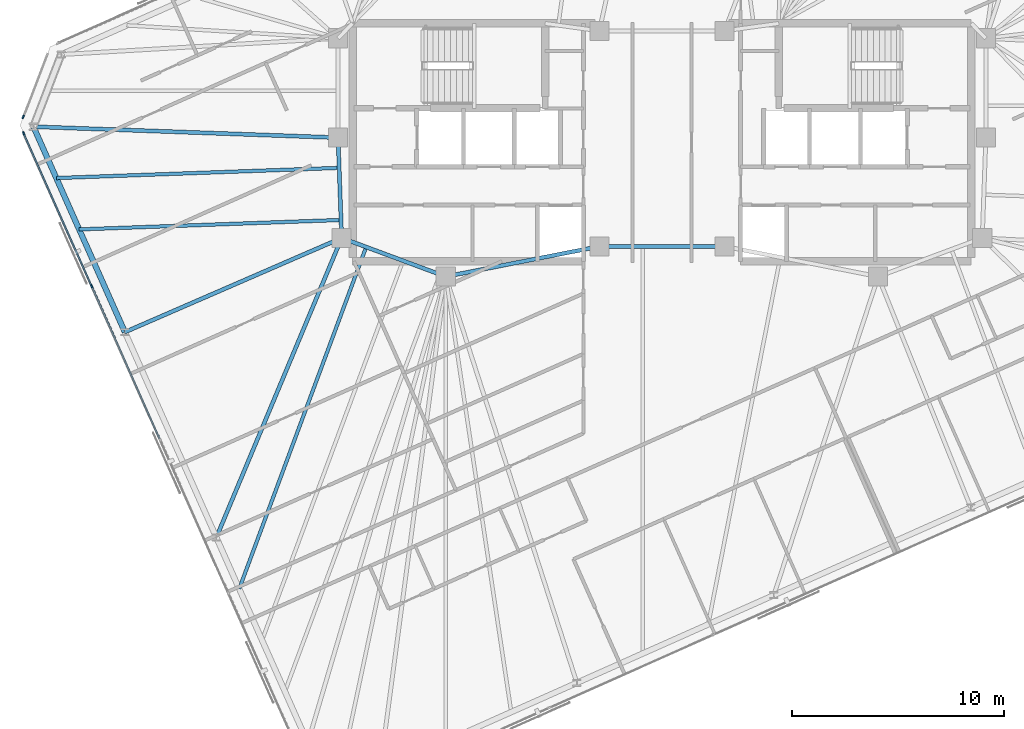
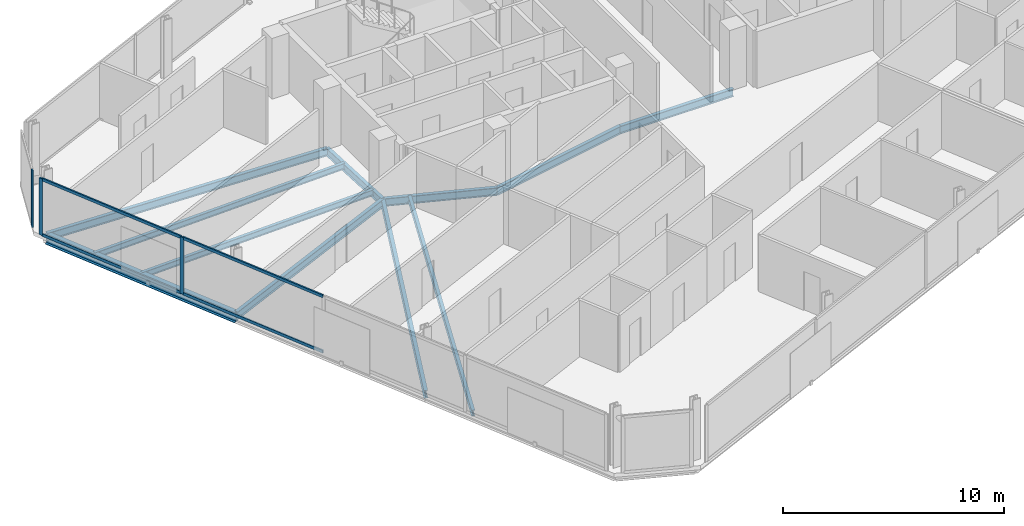
# One storey, part 6 of 19: 11 beams, 7 members, 2 elements without a shape of their own.
"""IFC4 building model written with IfcOpenShell, lengths in metres."""

from ifc_helpers import new_model, si_unit, direction, frame, origin, origin_2d, place, context, subcontext, project, spatial, rectangle, i_section, extrude, material, material_profile, profile_set, type_object, element, aggregate, save


model = new_model("IFC4")

# Units and contexts
model_context = context("Model", 3, precision=1e-05, world=origin(), true_north=direction((0.0, 1.0)))
body_context = subcontext(model_context, "Body", "Model", "MODEL_VIEW")
ifc_project = project(units=[si_unit("LENGTHUNIT", "METRE"), si_unit("AREAUNIT", "SQUARE_METRE"), si_unit("VOLUMEUNIT", "CUBIC_METRE"), si_unit("PLANEANGLEUNIT", "RADIAN"), si_unit("MASSUNIT", "GRAM", prefix="KILO")], contexts=[model_context])

# Site, building, storey
site_placement = place(None, origin())
site = spatial("IfcSite", under=ifc_project, at=site_placement, CompositionType="ELEMENT")
building_placement = place(site_placement, origin())
building = spatial("IfcBuilding", under=site, at=building_placement, Name="Menara Jurai Vektor", CompositionType="ELEMENT")
storey_placement = place(building_placement, frame((0.0, 0.0, 281.89990234375)))
storey = spatial("IfcBuildingStorey", under=building, at=storey_placement, Name="L75", CompositionType="ELEMENT", Elevation=281.89990234375)

# Curtain wall, member
ifc_material_1 = material(Name="Anodised Pale Aluminium & Low-E Double Glazing", Category="aluminium")
curtain_wall_type = type_object("IfcCurtainWallType", Name="CW-BLK5", PredefinedType="NOTDEFINED", material=ifc_material_1)
curtain_wall_1_placement = place(storey_placement, origin())
curtain_wall_1 = element("IfcCurtainWall", 1, at=curtain_wall_1_placement, inside=storey, type_object=curtain_wall_type, Name="Unitised Curtain Wall L75 F06", PredefinedType="NOTDEFINED")
ifc_material_2 = material(Name="Anodised Pale Aluminium Mullion", Category="aluminium")
ifc_material_profile_1 = material_profile(ifc_material_2, rectangle(XDim=0.074951171875, YDim=0.175048828125, at=origin_2d()), Name="ALU MUL 75x175")
ifc_profile_set_1 = profile_set([ifc_material_profile_1], Name="Anodised Pale Aluminium Mullion")
member_type_1 = type_object("IfcMemberType", Name="CW-BLK5-MUL", PredefinedType="MULLION", material=ifc_profile_set_1)
member_1_placement = place(storey_placement, frame((-30.075439453125, 1.197265625, 0.0), z_axis=(0.0, 0.0, 1.0), x_axis=(0.933578193639, -0.358373766287, 0.0)))
member_1 = element("IfcMember", 2, at=member_1_placement, type_object=member_type_1, Name="CW-05 mullion 2", PredefinedType="MULLION", context=body_context, shape_type="SweptSolid", body=[
    extrude(rectangle(XDim=0.074951171875, YDim=0.175048828125, at=origin_2d()), origin(), (0.0, 0.0, 1.0), 3.125),
])
aggregate(curtain_wall_1, [member_1])

# Curtain wall, members
curtain_wall_2_placement = place(storey_placement, origin())
curtain_wall_2 = element("IfcCurtainWall", 3, at=curtain_wall_2_placement, inside=storey, type_object=curtain_wall_type, Name="Unitised Curtain Wall L75 F07", PredefinedType="NOTDEFINED")
member_2_placement = place(storey_placement, frame((-30.055419921875, 0.426025390625, 0.0), z_axis=(0.0, 0.0, 1.0), x_axis=(0.913546127706, 0.406735138086, 0.0)))
member_2 = element("IfcMember", 4, at=member_2_placement, type_object=member_type_1, Name="CW-05 mullion 1", PredefinedType="MULLION", context=body_context, shape_type="SweptSolid", body=[
    extrude(rectangle(XDim=0.074951171875, YDim=0.175048828125, at=origin_2d()), origin(), (0.0, 0.0, 1.0), 3.125),
])
member_3_placement = place(storey_placement, frame((-26.853271484375, -6.765869140625, 0.0), z_axis=(0.0, 0.0, 1.0), x_axis=(0.913546127706, 0.406735138086, 0.0)))
member_3 = element("IfcMember", 5, at=member_3_placement, type_object=member_type_1, Name="CW-05 mullion 2", PredefinedType="MULLION", context=body_context, shape_type="SweptSolid", body=[
    extrude(rectangle(XDim=0.074951171875, YDim=0.175048828125, at=origin_2d()), origin(), (0.0, 0.0, 1.0), 3.125),
])
ifc_material_3 = material(Name="Anodised Pale Aluminium Transom", Category="aluminium")
ifc_material_profile_2 = material_profile(ifc_material_3, rectangle(XDim=0.074951171875, YDim=0.155029296875, at=origin_2d()), Name="ALU TRN 75x155")
ifc_profile_set_2 = profile_set([ifc_material_profile_2], Name="Anodised Pale Aluminium Transom")
member_type_2 = type_object("IfcMemberType", Name="CW-BLK5-TRN", PredefinedType="USERDEFINED", material=ifc_profile_set_2)
member_4_placement = place(storey_placement, frame((-30.0400390625, 0.391845703125, 0.03759765625), z_axis=(0.406713581109, -0.913555725143, 0.0), x_axis=(0.913555725143, 0.406713581109, 0.0)))
member_4 = element("IfcMember", 6, at=member_4_placement, type_object=member_type_2, Name="CW-05 transom 1.1", ObjectType="TRANSOM", PredefinedType="USERDEFINED", context=body_context, shape_type="SweptSolid", body=[
    extrude(rectangle(XDim=0.074951171875, YDim=0.155029296875, at=origin_2d()), origin(), (0.0, 0.0, 1.0), 7.797607421875),
])
member_5_placement = place(storey_placement, frame((-30.0400390625, 0.391845703125, 3.087646484375), z_axis=(0.406713581109, -0.913555725143, 0.0), x_axis=(0.913555725143, 0.406713581109, 0.0)))
member_5 = element("IfcMember", 7, at=member_5_placement, type_object=member_type_2, Name="CW-05 transom 1.2", ObjectType="TRANSOM", PredefinedType="USERDEFINED", context=body_context, shape_type="SweptSolid", body=[
    extrude(rectangle(XDim=0.074951171875, YDim=0.155029296875, at=origin_2d()), origin(), (0.0, 0.0, 1.0), 7.797607421875),
])
member_6_placement = place(storey_placement, frame((-26.838134765625, -6.800048828125, 0.03759765625), z_axis=(0.406731062496, -0.913547942256, 0.0), x_axis=(0.913547942256, 0.406731062496, 0.0)))
member_6 = element("IfcMember", 8, at=member_6_placement, type_object=member_type_2, Name="CW-05 transom 2.1", ObjectType="TRANSOM", PredefinedType="USERDEFINED", context=body_context, shape_type="SweptSolid", body=[
    extrude(rectangle(XDim=0.074951171875, YDim=0.155029296875, at=origin_2d()), origin(), (0.0, 0.0, 1.0), 7.8349609375),
])
member_7_placement = place(storey_placement, frame((-26.838134765625, -6.800048828125, 3.087646484375), z_axis=(0.406731062496, -0.913547942256, 0.0), x_axis=(0.913547942256, 0.406731062496, 0.0)))
member_7 = element("IfcMember", 9, at=member_7_placement, type_object=member_type_2, Name="CW-05 transom 2.2", ObjectType="TRANSOM", PredefinedType="USERDEFINED", context=body_context, shape_type="SweptSolid", body=[
    extrude(rectangle(XDim=0.074951171875, YDim=0.155029296875, at=origin_2d()), origin(), (0.0, 0.0, 1.0), 7.8349609375),
])
aggregate(curtain_wall_2, [member_2, member_3, member_4, member_5, member_6, member_7])

# Beams
ifc_material_4 = material(Name="Steel S355", Category="steel")
ifc_material_profile_3 = material_profile(ifc_material_4, i_section(OverallWidth=0.18505859375, OverallDepth=0.429931640625, WebThickness=0.010986328125, FlangeThickness=0.01806640625, at=origin_2d()), Name="PG 430x185x76")
ifc_profile_set_3 = profile_set([ifc_material_profile_3], Name="Steel S355")
beam_type_1 = type_object("IfcBeamType", Name="STR-BM-430", PredefinedType="BEAM", material=ifc_profile_set_3)
beam_1_placement = place(storey_placement, frame((-15.080078125, -4.5, -0.43994140625), z_axis=(-0.035977314146, 0.999352606874, 0.0), x_axis=(-0.999352606874, -0.035977314146, 0.0)))
element("IfcBeam", 10, at=beam_1_placement, inside=storey, type_object=beam_type_1, Name="Core Ring Header Girder L75-CHW-W2", PredefinedType="BEAM", context=body_context, shape_type="SweptSolid", body=[
    extrude(i_section(OverallWidth=0.18505859375, OverallDepth=0.429931640625, WebThickness=0.010986328125, FlangeThickness=0.01806640625, at=origin_2d()), origin(), (0.0, 0.0, 1.0), 4.72314453125),
])
beam_2_placement = place(storey_placement, frame((-15.080078125, -4.5, -0.43994140625), z_axis=(0.937424400887, -0.348188874925, 0.0), x_axis=(0.348188874925, 0.937424400887, 0.0)))
element("IfcBeam", 11, at=beam_2_placement, inside=storey, type_object=beam_type_1, Name="Core Ring Header Girder L75-CHW-S1", PredefinedType="BEAM", context=body_context, shape_type="SweptSolid", body=[
    extrude(i_section(OverallWidth=0.18505859375, OverallDepth=0.429931640625, WebThickness=0.010986328125, FlangeThickness=0.01806640625, at=origin_2d()), origin(), (0.0, 0.0, 1.0), 5.227294921875),
])
beam_3_placement = place(storey_placement, frame((-10.179931640625, -6.320068359375, -0.43994140625), z_axis=(0.981249044334, 0.192744164614, 0.0), x_axis=(-0.192744164614, 0.981249044334, 0.0)))
element("IfcBeam", 12, at=beam_3_placement, inside=storey, type_object=beam_type_1, Name="Core Ring Header Girder L75-CHW-S2", PredefinedType="BEAM", context=body_context, shape_type="SweptSolid", body=[
    extrude(i_section(OverallWidth=0.18505859375, OverallDepth=0.429931640625, WebThickness=0.010986328125, FlangeThickness=0.01806640625, at=origin_2d()), origin(), (0.0, 0.0, 1.0), 7.3681640625),
])
beam_4_placement = place(storey_placement, frame((-2.949951171875, -4.89990234375, -0.43994140625), z_axis=(1.0, 0.0, 0.0), x_axis=(0.0, 1.0, 0.0)))
element("IfcBeam", 13, at=beam_4_placement, inside=storey, type_object=beam_type_1, Name="Core Ring Header Girder L75-CC-1", PredefinedType="BEAM", context=body_context, shape_type="SweptSolid", body=[
    extrude(i_section(OverallWidth=0.18505859375, OverallDepth=0.429931640625, WebThickness=0.010986328125, FlangeThickness=0.01806640625, at=origin_2d()), origin(), (0.0, 0.0, 1.0), 5.89990234375),
])
beam_5_placement = place(storey_placement, frame((-29.591796875, 0.73681640625, -0.43994140625), z_axis=(0.999351273077, -0.03601434436, 0.0), x_axis=(0.03601434436, 0.999351273077, 0.0)))
element("IfcBeam", 14, at=beam_5_placement, inside=storey, type_object=beam_type_1, Name="Radial Floor Girder L75-W1", PredefinedType="BEAM", context=body_context, shape_type="SweptSolid", body=[
    extrude(i_section(OverallWidth=0.18505859375, OverallDepth=0.429931640625, WebThickness=0.010986328125, FlangeThickness=0.01806640625, at=origin_2d()), origin(), (0.0, 0.0, 1.0), 14.35107421875),
])
beam_6_placement = place(storey_placement, frame((-25.286376953125, -8.933349609375, -0.43994140625), z_axis=(0.917207084259, 0.398410798781, 0.0), x_axis=(-0.398410798781, 0.917207084259, 0.0)))
element("IfcBeam", 15, at=beam_6_placement, inside=storey, type_object=beam_type_1, Name="Radial Floor Girder L75-W2", PredefinedType="BEAM", context=body_context, shape_type="SweptSolid", body=[
    extrude(i_section(OverallWidth=0.18505859375, OverallDepth=0.429931640625, WebThickness=0.010986328125, FlangeThickness=0.01806640625, at=origin_2d()), origin(), (0.0, 0.0, 1.0), 11.127685546875),
])
beam_7_placement = place(storey_placement, frame((-20.98095703125, -18.603271484375, -0.43994140625), z_axis=(0.38598134247, 0.922506587112, 0.0), x_axis=(-0.922506587112, 0.38598134247, 0.0)))
element("IfcBeam", 16, at=beam_7_placement, inside=storey, type_object=beam_type_1, Name="Radial Floor Girder L75-W3", PredefinedType="BEAM", context=body_context, shape_type="SweptSolid", body=[
    extrude(i_section(OverallWidth=0.18505859375, OverallDepth=0.429931640625, WebThickness=0.010986328125, FlangeThickness=0.01806640625, at=origin_2d()), origin(), (0.0, 0.0, 1.0), 15.2880859375),
])
ifc_material_profile_4 = material_profile(ifc_material_4, i_section(OverallWidth=0.1650390625, OverallDepth=0.330078125, WebThickness=0.009033203125, FlangeThickness=0.013916015625, at=origin_2d()), Name="PG 330x165x46")
ifc_profile_set_4 = profile_set([ifc_material_profile_4], Name="Steel S355")
beam_type_2 = type_object("IfcBeamType", Name="STR-JS-330", PredefinedType="JOIST", material=ifc_profile_set_4)
beam_8_placement = place(storey_placement, frame((-28.515380859375, -1.6806640625, -0.389892578125), z_axis=(0.999352378837, 0.035983647851, 0.0), x_axis=(-0.035983647851, 0.999352378837, 0.0)))
element("IfcBeam", 17, at=beam_8_placement, inside=storey, type_object=beam_type_2, Name="Radial Secondary Floor Joist L75-JS26", PredefinedType="JOIST", context=body_context, shape_type="SweptSolid", body=[
    extrude(i_section(OverallWidth=0.1650390625, OverallDepth=0.330078125, WebThickness=0.009033203125, FlangeThickness=0.013916015625, at=origin_2d()), origin(), (0.0, 0.0, 1.0), 13.3251953125),
])
beam_9_placement = place(storey_placement, frame((-27.43896484375, -4.09814453125, -0.389892578125), z_axis=(0.999352552329, 0.03597882924, 0.0), x_axis=(-0.03597882924, 0.999352552329, 0.0)))
element("IfcBeam", 18, at=beam_9_placement, inside=storey, type_object=beam_type_2, Name="Radial Secondary Floor Joist L75-JS27", PredefinedType="JOIST", context=body_context, shape_type="SweptSolid", body=[
    extrude(i_section(OverallWidth=0.1650390625, OverallDepth=0.330078125, WebThickness=0.009033203125, FlangeThickness=0.013916015625, at=origin_2d()), origin(), (0.0, 0.0, 1.0), 12.33642578125),
])
beam_10_placement = place(storey_placement, frame((-19.904541015625, -21.020751953125, -0.389892578125), z_axis=(0.348190100331, 0.937423945732, 0.0), x_axis=(-0.937423945732, 0.348190100331, 0.0)))
element("IfcBeam", 19, at=beam_10_placement, inside=storey, type_object=beam_type_2, Name="Radial Secondary Floor Joist L75-JS28", PredefinedType="JOIST", context=body_context, shape_type="SweptSolid", body=[
    extrude(i_section(OverallWidth=0.1650390625, OverallDepth=0.330078125, WebThickness=0.009033203125, FlangeThickness=0.013916015625, at=origin_2d()), origin(), (0.0, 0.0, 1.0), 17.166748046875),
])
ifc_material_profile_5 = material_profile(ifc_material_4, i_section(OverallWidth=0.260009765625, OverallDepth=0.570068359375, WebThickness=0.013916015625, FlangeThickness=0.02392578125, at=origin_2d()), Name="PG 570x260x145")
ifc_profile_set_5 = profile_set([ifc_material_profile_5], Name="Steel S355")
beam_type_3 = type_object("IfcBeamType", Name="STR-SP-570", PredefinedType="SPANDREL", material=ifc_profile_set_5)
beam_11_placement = place(storey_placement, frame((-29.591796875, 0.73681640625, -0.510009765625), z_axis=(0.40673543049, -0.91354599752, 0.0), x_axis=(0.91354599752, 0.40673543049, 0.0)))
element("IfcBeam", 20, at=beam_11_placement, inside=storey, type_object=beam_type_3, Name="Exoskeleton Spandrel Beam L75-17", PredefinedType="SPANDREL", context=body_context, shape_type="SweptSolid", body=[
    extrude(i_section(OverallWidth=0.260009765625, OverallDepth=0.570068359375, WebThickness=0.013916015625, FlangeThickness=0.02392578125, at=origin_2d()), origin(), (0.0, 0.0, 1.0), 10.585205078125),
])

save(model, "model.ifc")
